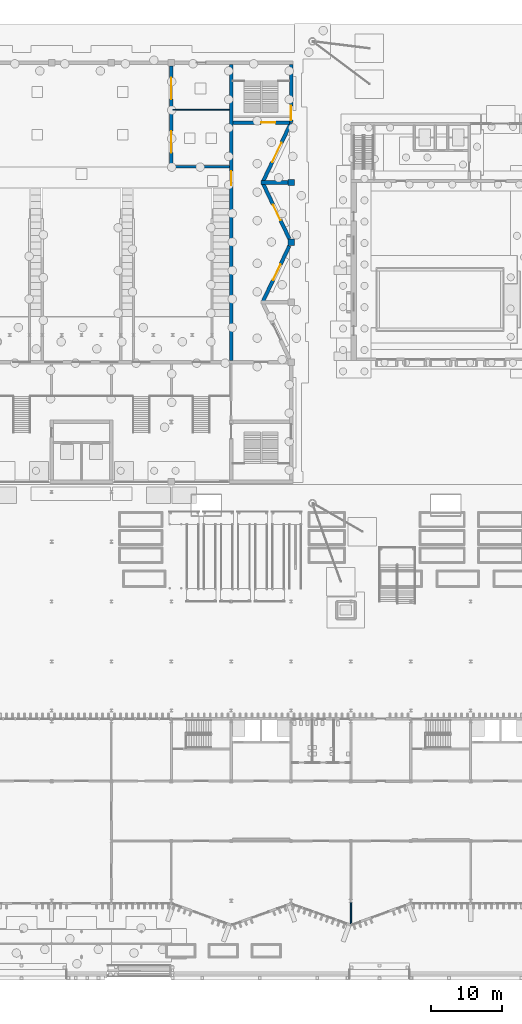
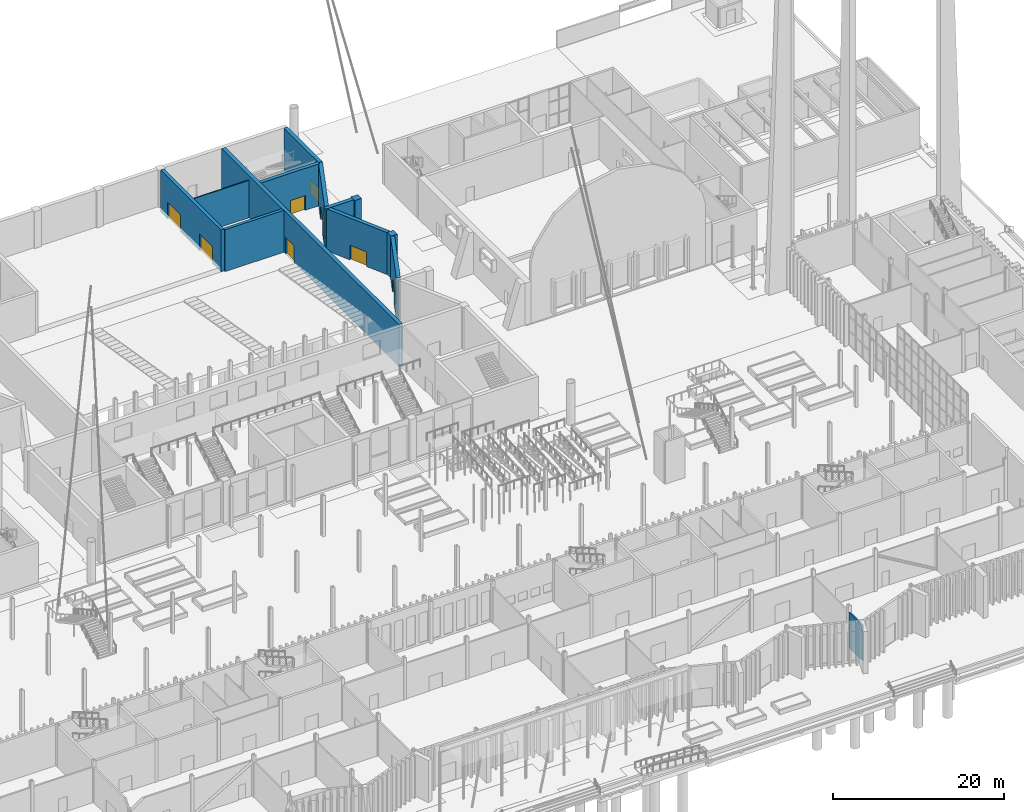
# One storey, part 68 of 108: 13 walls, 8 doors, 8 openings.
"""IFC4 building model written with IfcOpenShell, lengths in metres."""

import ifcopenshell
import ifcopenshell.guid

model = None  # the IFC model being written
_history = None  # IfcOwnerHistory: only IFC2X3 demands one
_inside = {}  # id of a spatial element -> (the spatial element, [elements in it])
_under = {}  # id of a project, library or spatial element -> (it, [spatial elements below it])
_declared = {}  # id of a project -> (the project, [libraries it declares])
_typed = {}  # id of a type object -> (the type object, [elements of that type])
_made_of = {}  # id of a material, layer set ... -> (it, [elements and type objects made of it])


def new_model(schema):
    """Start an empty IFC model of exactly this schema.

    Asked for "IFC4X3", IfcOpenShell would pick the latest addendum, in which some entities
    have other attributes; the version numbers below select the first issue.
    IFC2X3 requires an IfcOwnerHistory on every rooted entity: one is made here for all.
    """
    global model, _history
    if schema == "IFC4X3":
        model = ifcopenshell.file(schema_version=(4, 3, 0, 0))
    else:
        model = ifcopenshell.file(schema=schema)
    _inside.clear()
    _under.clear()
    _declared.clear()
    _typed.clear()
    _made_of.clear()
    _history = None
    if model.schema == "IFC2X3":
        org = make("IfcOrganization", Name="unknown")
        user = make(
            "IfcPersonAndOrganization",
            ThePerson=make("IfcPerson", FamilyName="unknown"),
            TheOrganization=org,
        )
        app = make(
            "IfcApplication",
            ApplicationDeveloper=org,
            Version="unknown",
            ApplicationFullName="unknown",
            ApplicationIdentifier="unknown",
        )
        _history = make(
            "IfcOwnerHistory",
            OwningUser=user,
            OwningApplication=app,
            ChangeAction="ADDED",
            CreationDate=0,
        )
    return model


def make(cls, **values):
    """One entity of the class cls with the attributes given. An attribute that is None is left unset."""
    return model.create_entity(
        cls, **{name: value for name, value in values.items() if value is not None}
    )


def rooted(cls, **values):
    """An entity with a GlobalId (a new one), such as an element, a storey or a relation."""
    return make(cls, GlobalId=ifcopenshell.guid.new(), OwnerHistory=_history, **values)


def si_unit(unit_type, name, prefix=None):
    """IfcSIUnit, for example si_unit("LENGTHUNIT", "METRE", prefix="MILLI")."""
    return make("IfcSIUnit", UnitType=unit_type, Prefix=prefix, Name=name)


def assignment(units):
    """IfcUnitAssignment: the units of a project."""
    return None if units is None else make("IfcUnitAssignment", Units=units)


def point(xyz):
    """IfcCartesianPoint."""
    return None if xyz is None else make("IfcCartesianPoint", Coordinates=xyz)


def direction(xyz):
    """IfcDirection."""
    return None if xyz is None else make("IfcDirection", DirectionRatios=xyz)


def frame(location, z_axis=None, x_axis=None):
    """IfcAxis2Placement3D, a coordinate frame: its origin and axes. An axis left out is left unset."""
    return make(
        "IfcAxis2Placement3D",
        Location=point(location),
        Axis=direction(z_axis),
        RefDirection=direction(x_axis),
    )


def frame_2d(location, x_axis=None):
    """IfcAxis2Placement2D, a coordinate frame in the plane: its origin and x axis."""
    return make(
        "IfcAxis2Placement2D", Location=point(location), RefDirection=direction(x_axis)
    )


def origin():
    """The frame at (0, 0, 0) with its axes left unset."""
    return frame((0.0, 0.0, 0.0))


def place(relative_to, where):
    """IfcLocalPlacement: puts the frame where relative to a parent placement (None: the world)."""
    return make(
        "IfcLocalPlacement", PlacementRelTo=relative_to, RelativePlacement=where
    )


def context(
    kind, dimensions, precision=None, world=None, true_north=None, identifier=None
):
    """IfcGeometricRepresentationContext, for example the 3D "Model" context."""
    return make(
        "IfcGeometricRepresentationContext",
        ContextIdentifier=identifier,
        ContextType=kind,
        CoordinateSpaceDimension=dimensions,
        Precision=precision,
        WorldCoordinateSystem=world,
        TrueNorth=true_north,
    )


def subcontext(parent, identifier, kind, view, scale=None):
    """IfcGeometricRepresentationSubContext, for example "Body" below "Model"."""
    return make(
        "IfcGeometricRepresentationSubContext",
        ContextIdentifier=identifier,
        ContextType=kind,
        ParentContext=parent,
        TargetScale=scale,
        TargetView=view,
    )


def project(units=None, contexts=None):
    """IfcProject with its units and contexts."""
    return rooted(
        "IfcProject",
        Name="project",
        RepresentationContexts=contexts,
        UnitsInContext=assignment(units),
    )


def spatial(cls, under=None, at=None, **own):
    """A site, building, storey or space (cls), placed at a placement, below another one or the project."""
    s = rooted(cls, ObjectPlacement=at, **own)
    if under is not None:
        _under.setdefault(under.id(), (under, []))[1].append(s)
    return s


def profile(cls, at=None, kind="AREA", **sizes):
    """A parametric profile (cls). Its sizes go by their IFC names, for example OverallWidth=200.0."""
    return make(cls, ProfileType=kind, Position=at, **sizes)


def rectangle(**sizes):
    """IfcRectangleProfileDef."""
    return profile("IfcRectangleProfileDef", **sizes)


def extrude(swept, where, along, depth):
    """IfcExtrudedAreaSolid: the profile swept, set in the frame where, extruded along a direction by depth."""
    return make(
        "IfcExtrudedAreaSolid",
        SweptArea=swept,
        Position=where,
        ExtrudedDirection=direction(along),
        Depth=depth,
    )


def shape(context_of_items, identifier, shape_type, items):
    """IfcShapeRepresentation: the items that make up one representation, for example the "Body"."""
    return make(
        "IfcShapeRepresentation",
        ContextOfItems=context_of_items,
        RepresentationIdentifier=identifier,
        RepresentationType=shape_type,
        Items=items,
    )


def material(Name=None, Category=None):
    """IfcMaterial."""
    return make("IfcMaterial", Name=Name, Category=Category)


def layer(
    of_material, thickness, ventilated=None, Name=None, Category=None, Priority=None
):
    """IfcMaterialLayer: one layer of a wall or slab, of a material (None: an air gap)."""
    return make(
        "IfcMaterialLayer",
        Material=of_material,
        LayerThickness=thickness,
        IsVentilated=ventilated,
        Name=Name,
        Category=Category,
        Priority=Priority,
    )


def layer_set(layers, Name=None):
    """IfcMaterialLayerSet."""
    return make("IfcMaterialLayerSet", MaterialLayers=layers, LayerSetName=Name)


def made_of(thing, what):
    """Note that an element or type object is made of a material, layer set ...; save() writes the relation."""
    if what is not None:
        _made_of.setdefault(what.id(), (what, []))[1].append(thing)
    return thing


def type_object(cls, material=None, **own):
    """A type object (cls), such as IfcWallType, which elements share."""
    return made_of(rooted(cls, **own), material)


def element(
    cls,
    number,
    at=None,
    inside=None,
    cuts=None,
    type_object=None,
    material=None,
    context=None,
    identifier="Body",
    shape_type=None,
    held_by="IfcProductDefinitionShape",
    body=None,
    shapes=None,
    **own,
):
    """One element of the class cls, such as IfcWall. Its Tag is "e" and its number.

    at: its placement. inside: the storey or other place that contains it. cuts: it is an
    opening in that element (IfcRelVoidsElement). A single representation is given by context,
    identifier, shape_type and body (its items); several are given by shapes. held_by: the class
    of the entity that holds the representations. save() writes the other relations.
    """
    e = rooted(cls, Tag="e%d" % number, ObjectPlacement=at, **own)
    if body is not None:
        shapes = [shape(context, identifier, shape_type, body)]
    if shapes is not None:
        e.Representation = make(held_by, Representations=shapes)
    if inside is not None:
        _inside.setdefault(inside.id(), (inside, []))[1].append(e)
    if cuts is not None:
        rooted(
            "IfcRelVoidsElement", RelatingBuildingElement=cuts, RelatedOpeningElement=e
        )
    if type_object is not None:
        _typed.setdefault(type_object.id(), (type_object, []))[1].append(e)
    return made_of(e, material)


def fill(opening, filler):
    """IfcRelFillsElement: the door or window that sits in an opening."""
    return rooted(
        "IfcRelFillsElement",
        RelatingOpeningElement=opening,
        RelatedBuildingElement=filler,
    )


def aggregate(whole, parts):
    """IfcRelAggregates: a whole, such as a stair, and the parts it consists of."""
    return rooted("IfcRelAggregates", RelatingObject=whole, RelatedObjects=parts)


def save(model, path):
    """Write the relations noted so far, then the file.

    IfcRelAggregates (storeys below a building ...), IfcRelContainedInSpatialStructure (elements
    in a storey), IfcRelDefinesByType, IfcRelAssociatesMaterial and IfcRelDeclares: one each for
    every whole, place, type object, material and project.
    """
    for whole, parts in _under.values():
        aggregate(whole, parts)
    for where, things in _inside.values():
        rooted(
            "IfcRelContainedInSpatialStructure",
            RelatedElements=things,
            RelatingStructure=where,
        )
    for kind, things in _typed.values():
        rooted("IfcRelDefinesByType", RelatedObjects=things, RelatingType=kind)
    for what, things in _made_of.values():
        rooted("IfcRelAssociatesMaterial", RelatedObjects=things, RelatingMaterial=what)
    for by, libraries in _declared.values():
        rooted("IfcRelDeclares", RelatingContext=by, RelatedDefinitions=libraries)
    model.write(path)


model = new_model("IFC4")

# Units and contexts
model_context = context("Model", 3, precision=1e-05, world=origin(), true_north=direction((0.0, 1.0)))
body_context = subcontext(model_context, "Body", "Model", "MODEL_VIEW")
ifc_project = project(units=[si_unit("LENGTHUNIT", "METRE"), si_unit("AREAUNIT", "SQUARE_METRE"), si_unit("VOLUMEUNIT", "CUBIC_METRE"), si_unit("PLANEANGLEUNIT", "RADIAN"), si_unit("MASSUNIT", "GRAM", prefix="KILO")], contexts=[model_context])

# Site, building, storey
site_placement = place(None, origin())
site = spatial("IfcSite", under=ifc_project, at=site_placement, CompositionType="ELEMENT")
building_placement = place(site_placement, origin())
building = spatial("IfcBuilding", under=site, at=building_placement, Name="Cresset Court Congress Hotel", CompositionType="ELEMENT")
storey_placement = place(building_placement, origin())
storey = spatial("IfcBuildingStorey", under=building, at=storey_placement, Name="L00", CompositionType="ELEMENT", Elevation=0.0)

# Wall, openings, doors
ifc_material_1 = material(Name="Concrete C50", Category="concrete")
ifc_layer_1 = layer(ifc_material_1, 0.449951171875)
ifc_layer_set_1 = layer_set([ifc_layer_1], Name="Fly-tower wall 450")
wall_type_1 = type_object("IfcWallType", Name="Fly-tower wall 450", PredefinedType="SOLIDWALL", material=ifc_layer_set_1)
wall_1_placement = place(storey_placement, frame((100.800048828125, 103.0, 0.0), z_axis=(0.0, 0.0, 1.0), x_axis=(0.0, 1.0, 0.0)))
wall_1 = element("IfcWall", 1, at=wall_1_placement, inside=storey, type_object=wall_type_1, Name="Wall CS-2L00", PredefinedType="SOLIDWALL", context=body_context, shape_type="SweptSolid", body=[
    extrude(rectangle(XDim=14.14990234375, YDim=0.449951171875, at=frame_2d((7.074951171875, 0.0))), origin(), (0.0, 0.0, 1.0), 6.0),
])
opening_1_placement = place(wall_1_placement, frame((2.0, 0.0, 0.0)))
opening_1 = element("IfcOpeningElement", 2, at=opening_1_placement, cuts=wall_1, Name="Opening DC-00-26", PredefinedType="OPENING", context=body_context, shape_type="SweptSolid", body=[
    extrude(rectangle(XDim=3.0, YDim=2.39990234375, at=frame_2d((1.5, 1.199951171875))), frame((0.0, 0.23486328125, 0.0), z_axis=(0.0, -1.0, 0.0), x_axis=(1.0, 0.0, 0.0)), (0.0, 0.0, 1.0), 0.469970703125),
])
opening_2_placement = place(wall_1_placement, frame((9.5, 0.0, 0.0)))
opening_2 = element("IfcOpeningElement", 3, at=opening_2_placement, cuts=wall_1, Name="Opening DC-00-27", PredefinedType="OPENING", context=body_context, shape_type="SweptSolid", body=[
    extrude(rectangle(XDim=3.0, YDim=2.39990234375, at=frame_2d((1.5, 1.199951171875))), frame((0.0, 0.23486328125, 0.0), z_axis=(0.0, -1.0, 0.0), x_axis=(1.0, 0.0, 0.0)), (0.0, 0.0, 1.0), 0.469970703125),
])
ifc_material_2 = material(Name="Timber", Category="wood")
door_type_1 = type_object("IfcDoorType", Name="Double swing door 3000x2400", OperationType="DOUBLE_DOOR_DOUBLE_SWING", PredefinedType="DOOR", material=ifc_material_2)
door_1_placement = place(opening_1_placement, origin())
door_1 = element("IfcDoor", 4, at=door_1_placement, inside=storey, type_object=door_type_1, Name="Scenery transfer door E1", OperationType="DOUBLE_DOOR_DOUBLE_SWING", OverallHeight=2.39990234375, OverallWidth=3.0, PredefinedType="DOOR", context=body_context, shape_type="SweptSolid", body=[
    extrude(rectangle(XDim=3.0, YDim=2.39990234375, at=frame_2d((1.5, 1.199951171875))), frame((0.0, 0.02490234375, 0.0), z_axis=(0.0, -1.0, 0.0), x_axis=(1.0, 0.0, 0.0)), (0.0, 0.0, 1.0), 0.050048828125),
])
fill(opening_1, door_1)
door_2_placement = place(opening_2_placement, origin())
door_2 = element("IfcDoor", 5, at=door_2_placement, inside=storey, type_object=door_type_1, Name="Scenery transfer door E2", OperationType="DOUBLE_DOOR_DOUBLE_SWING", OverallHeight=2.39990234375, OverallWidth=3.0, PredefinedType="DOOR", context=body_context, shape_type="SweptSolid", body=[
    extrude(rectangle(XDim=3.0, YDim=2.39990234375, at=frame_2d((1.5, 1.199951171875))), frame((0.0, 0.02490234375, 0.0), z_axis=(0.0, -1.0, 0.0), x_axis=(1.0, 0.0, 0.0)), (0.0, 0.0, 1.0), 0.050048828125),
])
fill(opening_2, door_2)

# Wall, opening, door
ifc_material_3 = material(Name="Concrete C50", Category="concrete")
ifc_layer_2 = layer(ifc_material_3, 0.5)
ifc_layer_set_2 = layer_set([ifc_layer_2], Name="Hall inner wall 500")
wall_type_2 = type_object("IfcWallType", Name="Hall inner wall 500", PredefinedType="SOLIDWALL", material=ifc_layer_set_2)
wall_2_placement = place(storey_placement, frame((109.199951171875, 117.35009765625, 0.0), z_axis=(0.0, 0.0, 1.0), x_axis=(0.0, -1.0, 0.0)))
wall_2 = element("IfcWall", 6, at=wall_2_placement, inside=storey, type_object=wall_type_2, Name="Wall CI-EL00", PredefinedType="SOLIDWALL", context=body_context, shape_type="SweptSolid", body=[
    extrude(rectangle(XDim=41.5, YDim=0.5, at=frame_2d((20.75, 0.0))), origin(), (0.0, 0.0, 1.0), 6.0),
])
opening_3_placement = place(wall_2_placement, frame((14.949951171875, 0.0, 0.0)))
opening_3 = element("IfcOpeningElement", 7, at=opening_3_placement, cuts=wall_2, Name="Opening DC-00-19", PredefinedType="OPENING", context=body_context, shape_type="SweptSolid", body=[
    extrude(rectangle(XDim=2.0, YDim=2.39990234375, at=frame_2d((1.0, 1.199951171875))), frame((0.0, 0.260009765625, 0.0), z_axis=(0.0, -1.0, 0.0), x_axis=(1.0, 0.0, 0.0)), (0.0, 0.0, 1.0), 0.52001953125),
])
ifc_material_4 = material(Name="Timber", Category="wood")
door_type_2 = type_object("IfcDoorType", Name="Double swing door 2000x2400 FD30", OperationType="DOUBLE_DOOR_DOUBLE_SWING", PredefinedType="DOOR", material=ifc_material_4)
door_3_placement = place(opening_3_placement, origin())
door_3 = element("IfcDoor", 8, at=door_3_placement, inside=storey, type_object=door_type_2, Name="Hall side door E", OperationType="DOUBLE_DOOR_DOUBLE_SWING", OverallHeight=2.39990234375, OverallWidth=2.0, PredefinedType="DOOR", context=body_context, shape_type="SweptSolid", body=[
    extrude(rectangle(XDim=2.0, YDim=2.39990234375, at=frame_2d((1.0, 1.199951171875))), frame((0.0, 0.02490234375, 0.0), z_axis=(0.0, -1.0, 0.0), x_axis=(1.0, 0.0, 0.0)), (0.0, 0.0, 1.0), 0.050048828125),
])
fill(opening_3, door_3)

wall_3_placement = place(storey_placement, frame((109.449951171875, 109.199951171875, 0.0), z_axis=(0.0, 0.0, 1.0), x_axis=(1.0, 0.0, 0.0)))
wall_3 = element("IfcWall", 9, at=wall_3_placement, inside=storey, type_object=wall_type_2, Name="Wall CC-C4SL00", PredefinedType="SOLIDWALL", context=body_context, shape_type="SweptSolid", body=[
    extrude(rectangle(XDim=7.900146484375, YDim=0.5, at=frame_2d((3.9501953125, 0.0))), origin(), (0.0, 0.0, 1.0), 6.0),
])
opening_4_placement = place(wall_3_placement, frame((3.949951171875, 0.0, 0.0)))
opening_4 = element("IfcOpeningElement", 10, at=opening_4_placement, cuts=wall_3, Name="Opening DC-00-04", PredefinedType="OPENING", context=body_context, shape_type="SweptSolid", body=[
    extrude(rectangle(XDim=2.0, YDim=2.10009765625, at=frame_2d((1.0, 1.050048828125))), frame((0.0, 0.260009765625, 0.0), z_axis=(0.0, -1.0, 0.0), x_axis=(1.0, 0.0, 0.0)), (0.0, 0.0, 1.0), 0.52001953125),
])
ifc_material_5 = material(Name="Timber", Category="wood")
door_type_3 = type_object("IfcDoorType", Name="Double swing door 2000x2100 FD60", OperationType="DOUBLE_DOOR_DOUBLE_SWING", PredefinedType="DOOR", material=ifc_material_5)
door_4_placement = place(opening_4_placement, origin())
door_4 = element("IfcDoor", 11, at=door_4_placement, inside=storey, type_object=door_type_3, Name="Stair door ST-C4 L00", OperationType="DOUBLE_DOOR_DOUBLE_SWING", OverallHeight=2.10009765625, OverallWidth=2.0, PredefinedType="DOOR", context=body_context, shape_type="SweptSolid", body=[
    extrude(rectangle(XDim=2.0, YDim=2.10009765625, at=frame_2d((1.0, 1.050048828125))), frame((0.0, 0.02490234375, 0.0), z_axis=(0.0, -1.0, 0.0), x_axis=(1.0, 0.0, 0.0)), (0.0, 0.0, 1.0), 0.050048828125),
])
fill(opening_4, door_4)

ifc_material_6 = material(Name="Limestone-faced precast concrete C50", Category="masonry")
ifc_layer_3 = layer(ifc_material_6, 0.5)
ifc_layer_set_3 = layer_set([ifc_layer_3], Name="Hall perimeter wall 500")
wall_type_3 = type_object("IfcWallType", Name="Hall perimeter wall 500", PredefinedType="SOLIDWALL", material=ifc_layer_set_3)
wall_4_placement = place(storey_placement, frame((117.36181640625, 91.89990234375, 0.0), z_axis=(0.0, 0.0, 1.0), x_axis=(-0.429922557701, -0.902865767642, 0.0)))
wall_4 = element("IfcWall", 12, at=wall_4_placement, inside=storey, type_object=wall_type_3, Name="Wall CW-EL00-3", PredefinedType="SOLIDWALL", context=body_context, shape_type="SweptSolid", body=[
    extrude(rectangle(XDim=8.59765625, YDim=0.5, at=frame_2d((4.298828125, 0.0))), origin(), (0.0, 0.0, 1.0), 6.0),
])
opening_5_placement = place(wall_4_placement, frame((2.898193359375, 0.0, 0.0)))
opening_5 = element("IfcOpeningElement", 13, at=opening_5_placement, cuts=wall_4, Name="Opening DC-00-34A", PredefinedType="OPENING", context=body_context, shape_type="SweptSolid", body=[
    extrude(rectangle(XDim=2.39990234375, YDim=2.10009765625, at=frame_2d((1.199951171875, 1.050048828125))), frame((0.0, 0.260009765625, 0.0), z_axis=(0.0, -1.0, 0.0), x_axis=(1.0, 0.0, 0.0)), (0.0, 0.0, 1.0), 0.52001953125),
])
ifc_material_7 = material(Name="Timber", Category="wood")
door_type_4 = type_object("IfcDoorType", Name="Double swing door 2400x2100 FD30 external", OperationType="DOUBLE_DOOR_DOUBLE_SWING", PredefinedType="DOOR", material=ifc_material_7)
door_5_placement = place(opening_5_placement, origin())
door_5 = element("IfcDoor", 14, at=door_5_placement, inside=storey, type_object=door_type_4, Name="Hall exit door E2", OperationType="DOUBLE_DOOR_DOUBLE_SWING", OverallHeight=2.10009765625, OverallWidth=2.39990234375, PredefinedType="DOOR", context=body_context, shape_type="SweptSolid", body=[
    extrude(rectangle(XDim=2.39990234375, YDim=2.10009765625, at=frame_2d((1.199951171875, 1.050048828125))), frame((0.0, 0.02490234375, 0.0), z_axis=(0.0, -1.0, 0.0), x_axis=(1.0, 0.0, 0.0)), (0.0, 0.0, 1.0), 0.050048828125),
])
fill(opening_5, door_5)

wall_5_placement = place(storey_placement, frame((113.66552734375, 100.66259765625, 0.0), z_axis=(0.0, 0.0, 1.0), x_axis=(0.429911535511, -0.902871016057, 0.0)))
wall_5 = element("IfcWall", 15, at=wall_5_placement, inside=storey, type_object=wall_type_3, Name="Wall CW-EL00-4", PredefinedType="SOLIDWALL", context=body_context, shape_type="SweptSolid", body=[
    extrude(rectangle(XDim=8.597900390625, YDim=0.5, at=frame_2d((4.298828125, 0.0))), origin(), (0.0, 0.0, 1.0), 6.0),
])
opening_6_placement = place(wall_5_placement, frame((3.299560546875, 0.0, 0.0)))
opening_6 = element("IfcOpeningElement", 16, at=opening_6_placement, cuts=wall_5, Name="Opening DC-00-35A", PredefinedType="OPENING", context=body_context, shape_type="SweptSolid", body=[
    extrude(rectangle(XDim=2.39990234375, YDim=2.10009765625, at=frame_2d((1.199951171875, 1.050048828125))), frame((0.0, 0.260009765625, 0.0), z_axis=(0.0, -1.0, 0.0), x_axis=(1.0, 0.0, 0.0)), (0.0, 0.0, 1.0), 0.52001953125),
])
door_6_placement = place(opening_6_placement, origin())
door_6 = element("IfcDoor", 17, at=door_6_placement, inside=storey, type_object=door_type_4, Name="Hall exit door E3", OperationType="DOUBLE_DOOR_DOUBLE_SWING", OverallHeight=2.10009765625, OverallWidth=2.39990234375, PredefinedType="DOOR", context=body_context, shape_type="SweptSolid", body=[
    extrude(rectangle(XDim=2.39990234375, YDim=2.10009765625, at=frame_2d((1.199951171875, 1.050048828125))), frame((0.0, 0.02490234375, 0.0), z_axis=(0.0, -1.0, 0.0), x_axis=(1.0, 0.0, 0.0)), (0.0, 0.0, 1.0), 0.050048828125),
])
fill(opening_6, door_6)

wall_6_placement = place(storey_placement, frame((117.576171875, 109.14990234375, 0.0), z_axis=(0.0, 0.0, 1.0), x_axis=(-0.429931496654, -0.902861511077, 0.0)))
wall_6 = element("IfcWall", 18, at=wall_6_placement, inside=storey, type_object=wall_type_3, Name="Wall CW-EL00-5.1", PredefinedType="SOLIDWALL", context=body_context, shape_type="SweptSolid", body=[
    extrude(rectangle(XDim=9.095947265625, YDim=0.5, at=frame_2d((4.5478515625, 0.0))), origin(), (0.0, 0.0, 1.0), 6.0),
])
opening_7_placement = place(wall_6_placement, frame((3.096435546875, 0.0, 0.0)))
opening_7 = element("IfcOpeningElement", 19, at=opening_7_placement, cuts=wall_6, Name="Opening DC-00-37", PredefinedType="OPENING", context=body_context, shape_type="SweptSolid", body=[
    extrude(rectangle(XDim=3.0, YDim=2.10009765625, at=frame_2d((1.5, 1.050048828125))), frame((0.0, 0.260009765625, 0.0), z_axis=(0.0, -1.0, 0.0), x_axis=(1.0, 0.0, 0.0)), (0.0, 0.0, 1.0), 0.52001953125),
])
ifc_material_8 = material(Name="Timber", Category="wood")
door_type_5 = type_object("IfcDoorType", Name="Double swing door 3000x2100 FD30", OperationType="DOUBLE_DOOR_DOUBLE_SWING", PredefinedType="DOOR", material=ifc_material_8)
door_7_placement = place(opening_7_placement, origin())
door_7 = element("IfcDoor", 20, at=door_7_placement, inside=storey, type_object=door_type_5, Name="Hall exit door E4", OperationType="DOUBLE_DOOR_DOUBLE_SWING", OverallHeight=2.10009765625, OverallWidth=3.0, PredefinedType="DOOR", context=body_context, shape_type="SweptSolid", body=[
    extrude(rectangle(XDim=3.0, YDim=2.10009765625, at=frame_2d((1.5, 1.050048828125))), frame((0.0, 0.02490234375, 0.0), z_axis=(0.0, -1.0, 0.0), x_axis=(1.0, 0.0, 0.0)), (0.0, 0.0, 1.0), 0.050048828125),
])
fill(opening_7, door_7)

wall_7_placement = place(storey_placement, frame((117.60009765625, 117.35009765625, 0.0), z_axis=(0.0, 0.0, 1.0), x_axis=(0.0, -1.0, 0.0)))
wall_7 = element("IfcWall", 21, at=wall_7_placement, inside=storey, type_object=wall_type_3, Name="Wall CW-EL00-5.2", PredefinedType="SOLIDWALL", context=body_context, shape_type="SweptSolid", body=[
    extrude(rectangle(XDim=8.150146484375, YDim=0.5, at=frame_2d((4.0751953125, 0.0))), origin(), (0.0, 0.0, 1.0), 6.0),
])
opening_8_placement = place(wall_7_placement, frame((5.800048828125, 0.0, 0.0)))
opening_8 = element("IfcOpeningElement", 22, at=opening_8_placement, cuts=wall_7, Name="Opening DC-00-13A", PredefinedType="OPENING", context=body_context, shape_type="SweptSolid", body=[
    extrude(rectangle(XDim=2.0, YDim=2.10009765625, at=frame_2d((1.0, 1.050048828125))), frame((0.0, 0.260009765625, 0.0), z_axis=(0.0, -1.0, 0.0), x_axis=(1.0, 0.0, 0.0)), (0.0, 0.0, 1.0), 0.52001953125),
])
ifc_material_9 = material(Name="Timber", Category="wood")
door_type_6 = type_object("IfcDoorType", Name="Double swing door 2000x2100 FD60 external", OperationType="DOUBLE_DOOR_DOUBLE_SWING", PredefinedType="DOOR", material=ifc_material_9)
door_8_placement = place(opening_8_placement, origin())
door_8 = element("IfcDoor", 23, at=door_8_placement, inside=storey, type_object=door_type_6, Name="Stair exit door ST-C4", OperationType="DOUBLE_DOOR_DOUBLE_SWING", OverallHeight=2.10009765625, OverallWidth=2.0, PredefinedType="DOOR", context=body_context, shape_type="SweptSolid", body=[
    extrude(rectangle(XDim=2.0, YDim=2.10009765625, at=frame_2d((1.0, 1.050048828125))), frame((0.0, 0.02490234375, 0.0), z_axis=(0.0, -1.0, 0.0), x_axis=(1.0, 0.0, 0.0)), (0.0, 0.0, 1.0), 0.050048828125),
])
fill(opening_8, door_8)

# Walls
wall_8_placement = place(storey_placement, frame((113.35009765625, 100.800048828125, 0.0), z_axis=(0.0, 0.0, 1.0), x_axis=(1.0, 0.0, 0.0)))
element("IfcWall", 24, at=wall_8_placement, inside=storey, type_object=wall_type_3, Name="Wall CW-EL00-R2", PredefinedType="SOLIDWALL", context=body_context, shape_type="SweptSolid", body=[
    extrude(rectangle(XDim=3.7998046875, YDim=0.5, at=frame_2d((1.89990234375, 0.0))), origin(), (0.0, 0.0, 1.0), 6.0),
])
ifc_material_10 = material(Name="Concrete C50", Category="concrete")
ifc_layer_4 = layer(ifc_material_10, 0.89990234375)
ifc_layer_set_4 = layer_set([ifc_layer_4], Name="Hall pilaster 900x900")
wall_type_4 = type_object("IfcWallType", Name="Hall pilaster 900x900", PredefinedType="SOLIDWALL", material=ifc_layer_set_4)
wall_9_placement = place(storey_placement, frame((117.60009765625, 91.949951171875, 0.0), z_axis=(0.0, 0.0, 1.0), x_axis=(0.0, 1.0, 0.0)))
element("IfcWall", 25, at=wall_9_placement, inside=storey, type_object=wall_type_4, Name="Pilaster P-E3", PredefinedType="SOLIDWALL", context=body_context, shape_type="SweptSolid", body=[
    extrude(rectangle(XDim=0.900146484375, YDim=0.89990234375, at=frame_2d((0.4501953125, 0.0))), origin(), (0.0, 0.0, 1.0), 6.0),
])
wall_10_placement = place(storey_placement, frame((117.60009765625, 100.35009765625, 0.0), z_axis=(0.0, 0.0, 1.0), x_axis=(0.0, 1.0, 0.0)))
element("IfcWall", 26, at=wall_10_placement, inside=storey, type_object=wall_type_4, Name="Pilaster P-E4", PredefinedType="SOLIDWALL", context=body_context, shape_type="SweptSolid", body=[
    extrude(rectangle(XDim=0.89990234375, YDim=0.89990234375, at=frame_2d((0.449951171875, 0.0))), origin(), (0.0, 0.0, 1.0), 6.0),
])
ifc_material_11 = material(Name="Gypsum board on steel studs", Category="steel")
ifc_layer_5 = layer(ifc_material_11, 0.14990234375)
ifc_layer_set_5 = layer_set([ifc_layer_5], Name="Hall room partition 150")
wall_type_5 = type_object("IfcWallType", Name="Hall room partition 150", PredefinedType="PARTITIONING", material=ifc_layer_set_5)
wall_11_placement = place(storey_placement, frame((101.0, 111.0, 0.0), z_axis=(0.0, 0.0, 1.0), x_axis=(1.0, 0.0, 0.0)))
element("IfcWall", 27, at=wall_11_placement, inside=storey, type_object=wall_type_5, Name="Wall CP-gr.2", PredefinedType="PARTITIONING", context=body_context, shape_type="SweptSolid", body=[
    extrude(rectangle(XDim=7.949951171875, YDim=0.14990234375, at=frame_2d((3.97509765625, 0.0))), origin(), (0.0, 0.0, 1.0), 5.35009765625),
])
ifc_material_12 = material(Name="Concrete C50", Category="concrete")
ifc_layer_6 = layer(ifc_material_12, 0.39990234375)
ifc_layer_set_6 = layer_set([ifc_layer_6], Name="Hall stage wall 400")
wall_type_6 = type_object("IfcWallType", Name="Hall stage wall 400", PredefinedType="SOLIDWALL", material=ifc_layer_set_6)
wall_12_placement = place(storey_placement, frame((101.02490234375, 103.0, 0.0), z_axis=(0.0, 0.0, 1.0), x_axis=(1.0, 0.0, 0.0)))
element("IfcWall", 28, at=wall_12_placement, inside=storey, type_object=wall_type_6, Name="Wall CW-2L00", PredefinedType="SOLIDWALL", context=body_context, shape_type="SweptSolid", body=[
    extrude(rectangle(XDim=7.925048828125, YDim=0.39990234375, at=frame_2d((3.96240234375, 0.0))), origin(), (0.0, 0.0, 1.0), 6.0),
])
ifc_material_13 = material(Name="Gypsum board on steel studs with acoustic lining", Category="steel")
ifc_layer_7 = layer(ifc_material_13, 0.175048828125)
ifc_layer_set_7 = layer_set([ifc_layer_7], Name="Press centre acoustic partition 175")
wall_type_7 = type_object("IfcWallType", Name="Press centre acoustic partition 175", PredefinedType="PARTITIONING", material=ifc_layer_set_7)
wall_13_placement = place(storey_placement, frame((126.0, -3.23095703125, 0.0), z_axis=(0.0, 0.0, 1.0), x_axis=(0.0, 1.0, 0.0)))
element("IfcWall", 29, at=wall_13_placement, inside=storey, type_object=wall_type_7, Name="Press centre partition", PredefinedType="PARTITIONING", context=body_context, shape_type="SweptSolid", body=[
    extrude(rectangle(XDim=3.031005859375, YDim=0.175048828125, at=frame_2d((1.515625, 0.0))), origin(), (0.0, 0.0, 1.0), 5.050048828125),
])

save(model, "model.ifc")
